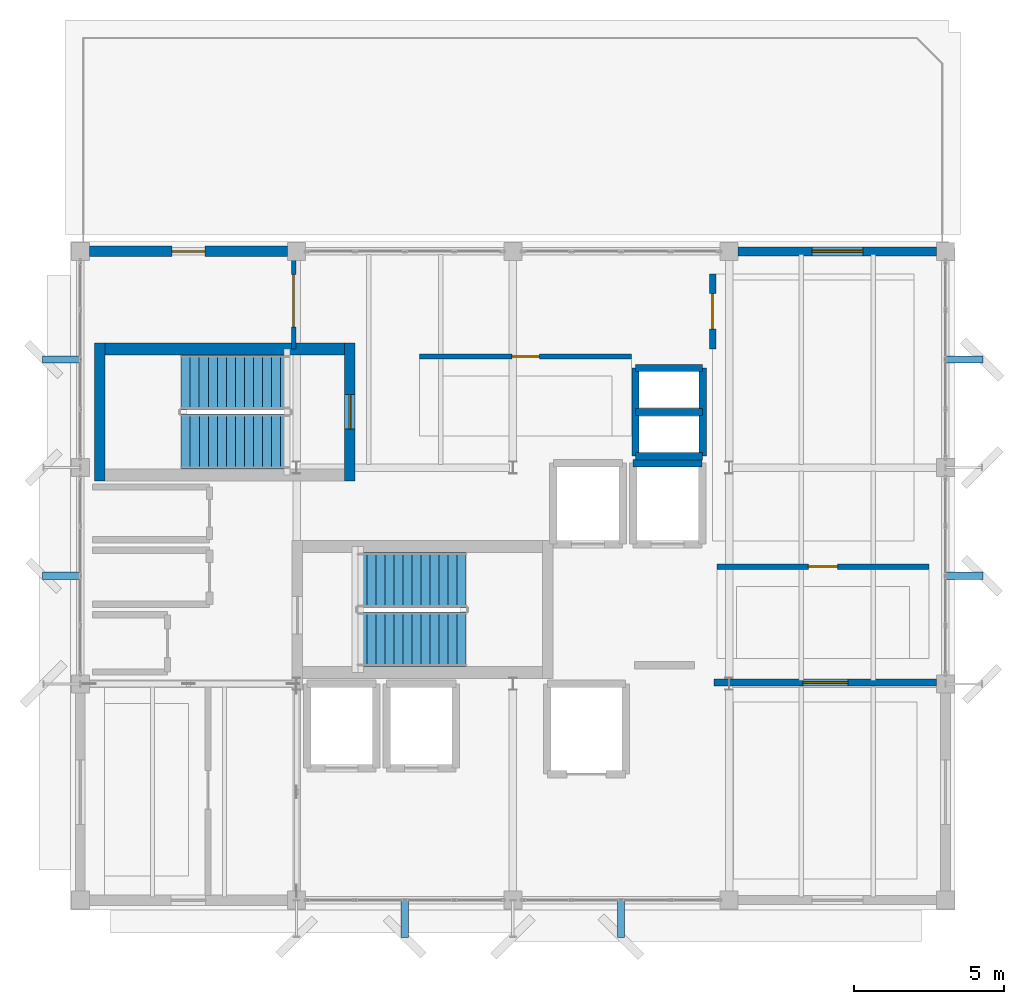
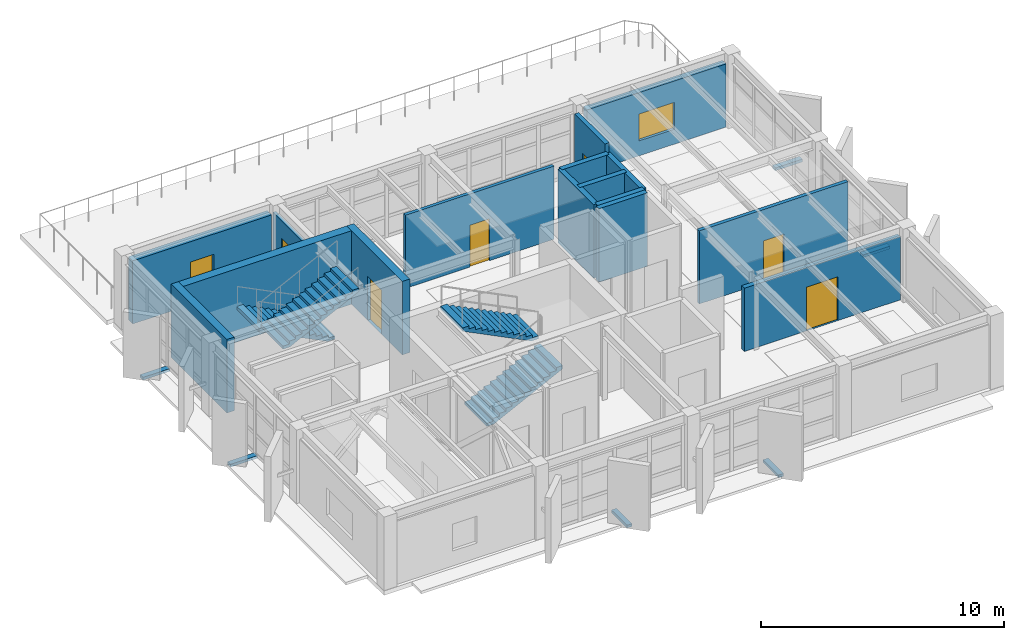
# One storey, part 12 of 16: 16 walls, 7 doors, 6 discrete accessories, 4 stair flights, 1 window, 8 openings, 2 elements without a shape of their own.
"""IFC4 building model written with IfcOpenShell, lengths in metres."""

from ifc_helpers import new_model, si_unit, direction, frame, frame_2d, origin, origin_2d, place, context, subcontext, project, spatial, polyline, rectangle, outline, extrude, material, layer, layer_set, type_object, element, fill, aggregate, save


model = new_model("IFC4")

# Units and contexts
model_context = context("Model", 3, precision=1e-05, world=origin(), true_north=direction((0.0, 1.0)))
body_context = subcontext(model_context, "Body", "Model", "MODEL_VIEW")
ifc_project = project(units=[si_unit("LENGTHUNIT", "METRE"), si_unit("AREAUNIT", "SQUARE_METRE"), si_unit("VOLUMEUNIT", "CUBIC_METRE"), si_unit("PLANEANGLEUNIT", "RADIAN"), si_unit("MASSUNIT", "GRAM", prefix="KILO")], contexts=[model_context])

# Site, building, storey
site_placement = place(None, origin())
site = spatial("IfcSite", under=ifc_project, at=site_placement, CompositionType="ELEMENT")
building_placement = place(site_placement, origin())
building = spatial("IfcBuilding", under=site, at=building_placement, Name="Kandorven Conservatory and Botanical Research Centre", CompositionType="ELEMENT")
storey_placement = place(building_placement, frame((0.0, 0.0, 44.39990234375)))
storey = spatial("IfcBuildingStorey", under=building, at=storey_placement, Name="L11", CompositionType="ELEMENT", Elevation=44.39990234375)

# Wall
ifc_material_1 = material(Name="Concrete C40/50 (M50)", Category="concrete")
ifc_layer_1 = layer(ifc_material_1, 0.39990234375)
ifc_layer_set_1 = layer_set([ifc_layer_1], Name="Concrete C40/50 (M50)")
wall_type_1 = type_object("IfcWallType", Name="Wall_CW-RC-1", PredefinedType="SHEAR", material=ifc_layer_set_1)
wall_1_placement = place(storey_placement, frame((14.800048828125, 24.35498046875, 0.0), z_axis=(0.0, 0.0, 1.0), x_axis=(-1.0, 0.0, 0.0)))
element("IfcWall", 1, at=wall_1_placement, inside=storey, type_object=wall_type_1, Name="Core stair shear wall CW-RC-1 ST-T2 L11 side A", PredefinedType="SHEAR", context=body_context, shape_type="SweptSolid", body=[
    extrude(rectangle(XDim=7.97998046875, YDim=0.39990234375, at=frame_2d((3.989990234375, 0.0))), origin(), (0.0, 0.0, 1.0), 3.690185546875),
])

# Wall, opening, door
ifc_material_2 = material(Name="Concrete C40/50 (M50)", Category="concrete")
ifc_layer_2 = layer(ifc_material_2, 0.35009765625)
ifc_layer_set_2 = layer_set([ifc_layer_2], Name="Concrete C40/50 (M50)")
wall_type_2 = type_object("IfcWallType", Name="Wall_CW-RC-2", PredefinedType="SHEAR", material=ifc_layer_set_2)
wall_2_placement = place(storey_placement, frame((14.97509765625, 24.550048828125, 0.0), z_axis=(0.0, 0.0, 1.0), x_axis=(0.0, -1.0, 0.0)))
wall_2 = element("IfcWall", 2, at=wall_2_placement, inside=storey, type_object=wall_type_2, Name="Core stair shear wall CW-RC-2 ST-T2 L11 entry", PredefinedType="SHEAR", context=body_context, shape_type="SweptSolid", body=[
    extrude(rectangle(XDim=4.590087890625, YDim=0.35009765625, at=frame_2d((2.294921875, 0.0))), origin(), (0.0, 0.0, 1.0), 3.690185546875),
])
opening_1_placement = place(wall_2_placement, frame((1.719970703125, 0.0, 0.0)))
opening_1 = element("IfcOpeningElement", 3, at=opening_1_placement, cuts=wall_2, Name="Opening FD-2", PredefinedType="OPENING", context=body_context, shape_type="SweptSolid", body=[
    extrude(rectangle(XDim=1.14990234375, YDim=2.199951171875, at=frame_2d((0.574951171875, 1.10009765625))), frame((0.0, 0.18505859375, 0.0), z_axis=(0.0, -1.0, 0.0), x_axis=(1.0, 0.0, 0.0)), (0.0, 0.0, 1.0), 0.3701171875),
])
ifc_material_3 = material(Name="Galvanised hollow steel fire door assembly", Category="steel")
door_type_1 = type_object("IfcDoorType", Name="Door_FD-2", OperationType="NOTDEFINED", PredefinedType="DOOR", material=ifc_material_3)
door_1_placement = place(opening_1_placement, origin())
door_1 = element("IfcDoor", 4, at=door_1_placement, inside=storey, type_object=door_type_1, Name="Exit stair fire door FD-2 ST-T2 L11", OperationType="SINGLE_SWING_RIGHT", OverallHeight=2.199951171875, OverallWidth=1.14990234375, PredefinedType="DOOR", context=body_context, shape_type="SweptSolid", body=[
    extrude(rectangle(XDim=1.14990234375, YDim=2.199951171875, at=frame_2d((0.574951171875, 1.10009765625))), frame((0.0, 0.02490234375, 0.0), z_axis=(0.0, -1.0, 0.0), x_axis=(1.0, 0.0, 0.0)), (0.0, 0.0, 1.0), 0.050048828125),
])
fill(opening_1, door_1)

# Walls
wall_3_placement = place(storey_placement, frame((6.64501953125, 24.550048828125, 0.0), z_axis=(0.0, 0.0, 1.0), x_axis=(0.0, -1.0, 0.0)))
element("IfcWall", 5, at=wall_3_placement, inside=storey, type_object=wall_type_2, Name="Core stair shear wall CW-RC-2 ST-T2 L11 far", PredefinedType="SHEAR", context=body_context, shape_type="SweptSolid", body=[
    extrude(rectangle(XDim=4.590087890625, YDim=0.35009765625, at=frame_2d((2.294921875, 0.0))), origin(), (0.0, 0.0, 1.0), 3.690185546875),
])
wall_4_placement = place(storey_placement, frame((24.39990234375, 20.550048828125, 0.0), z_axis=(0.0, 0.0, 1.0), x_axis=(1.0, 0.0, 0.0)))
element("IfcWall", 6, at=wall_4_placement, inside=storey, type_object=wall_type_2, Name="Lift shaft wall FFL-2 L11 N", PredefinedType="SHEAR", context=body_context, shape_type="SweptSolid", body=[
    extrude(rectangle(XDim=2.300048828125, YDim=0.25, at=frame_2d((1.14990234375, 0.0))), origin(), (0.0, 0.0, 1.0), 3.690185546875),
])
for number, where, z_axis, x_axis, name in (
    (7, (24.47998046875, 20.780029296875, 0.0), (0.0, 0.0, 1.0), (1.0, 0.0, 0.0), "Core MEP riser shaft wall CW-RC-2 L11 S"),
    (8, (24.47998046875, 22.25, 0.0), (0.0, 0.0, 1.0), (1.0, 0.0, 0.0), "Core MEP riser shaft wall CW-RC-2 L11 M"),
    (9, (24.47998046875, 23.719970703125, 0.0), (0.0, 0.0, 1.0), (1.0, 0.0, 0.0), "Core MEP riser shaft wall CW-RC-2 L11 N"),
):
    element("IfcWall", number, at=place(storey_placement, frame(where, z_axis=z_axis, x_axis=x_axis)), inside=storey, type_object=wall_type_2, Name=name, PredefinedType="SHEAR", context=body_context, shape_type="SweptSolid", body=[
        extrude(rectangle(XDim=2.239990234375, YDim=0.239990234375, at=frame_2d((1.1201171875, 0.0))), origin(), (0.0, 0.0, 1.0), 3.690185546875),
    ])
for number, where, z_axis, x_axis, name in (
    (10, (24.47998046875, 20.780029296875, 0.0), (0.0, 0.0, 1.0), (0.0, 1.0, 0.0), "Core MEP riser shaft wall CW-RC-2 L11 W"),
    (11, (26.719970703125, 20.780029296875, 0.0), (0.0, 0.0, 1.0), (0.0, 1.0, 0.0), "Core MEP riser shaft wall CW-RC-2 L11 E"),
):
    element("IfcWall", number, at=place(storey_placement, frame(where, z_axis=z_axis, x_axis=x_axis)), inside=storey, type_object=wall_type_2, Name=name, PredefinedType="SHEAR", context=body_context, shape_type="SweptSolid", body=[
        extrude(rectangle(XDim=2.93994140625, YDim=0.239990234375, at=frame_2d((1.469970703125, 0.0))), origin(), (0.0, 0.0, 1.0), 3.690185546875),
    ])

# Wall, opening, door
ifc_material_4 = material(Name="Concrete C40/50 (M50)", Category="concrete")
ifc_layer_3 = layer(ifc_material_4, 0.360107421875)
ifc_layer_set_3 = layer_set([ifc_layer_3], Name="Concrete C40/50 (M50)")
wall_type_3 = type_object("IfcWallType", Name="Wall_EW-01", PredefinedType="STANDARD", material=ifc_layer_set_3)
wall_5_placement = place(storey_placement, frame((6.300048828125, 27.60009765625, 0.0), z_axis=(0.0, 0.0, 1.0), x_axis=(1.0, 0.0, 0.0)))
wall_5 = element("IfcWall", 12, at=wall_5_placement, inside=storey, type_object=wall_type_3, Name="Tower concrete facade wall EW-01 N L11", PredefinedType="STANDARD", context=body_context, shape_type="SweptSolid", body=[
    extrude(rectangle(XDim=6.599853515625, YDim=0.360107421875, at=frame_2d((3.2998046875, 0.0))), origin(), (0.0, 0.0, 1.0), 3.170166015625),
])
opening_2_placement = place(wall_5_placement, frame((2.75, 0.0, 0.0)))
opening_2 = element("IfcOpeningElement", 13, at=opening_2_placement, cuts=wall_5, Name="Opening TD-01", PredefinedType="OPENING", context=body_context, shape_type="SweptSolid", body=[
    extrude(rectangle(XDim=1.10009765625, YDim=2.14990234375, at=frame_2d((0.550048828125, 1.074951171875))), frame((0.0, 0.18994140625, 0.0), z_axis=(0.0, -1.0, 0.0), x_axis=(1.0, 0.0, 0.0)), (0.0, 0.0, 1.0), 0.380126953125),
])
ifc_material_5 = material(Name="Bronze anodised thermally broken aluminium", Category="aluminium")
door_type_2 = type_object("IfcDoorType", Name="Door_TD-01", OperationType="NOTDEFINED", PredefinedType="DOOR", material=ifc_material_5)
door_2_placement = place(opening_2_placement, origin())
door_2 = element("IfcDoor", 14, at=door_2_placement, inside=storey, type_object=door_type_2, Name="Level L11 refuge terrace access door TD-01", OperationType="SINGLE_SWING_LEFT", OverallHeight=2.14990234375, OverallWidth=1.10009765625, PredefinedType="DOOR", context=body_context, shape_type="SweptSolid", body=[
    extrude(rectangle(XDim=1.10009765625, YDim=2.14990234375, at=frame_2d((0.550048828125, 1.074951171875))), frame((0.0, 0.02490234375, 0.0), z_axis=(0.0, -1.0, 0.0), x_axis=(1.0, 0.0, 0.0)), (0.0, 0.0, 1.0), 0.050048828125),
])
fill(opening_2, door_2)

# Wall, opening, window
ifc_material_6 = material(Name="Concrete C32/40 (M40)", Category="concrete")
ifc_layer_4 = layer(ifc_material_6, 0.300048828125)
ifc_layer_set_4 = layer_set([ifc_layer_4], Name="Concrete C32/40 (M40)")
wall_type_4 = type_object("IfcWallType", Name="Wall_EW-04", PredefinedType="STANDARD", material=ifc_layer_set_4)
wall_6_placement = place(storey_placement, frame((27.89990234375, 27.60009765625, 0.0), z_axis=(0.0, 0.0, 1.0), x_axis=(1.0, 0.0, 0.0)))
wall_6 = element("IfcWall", 15, at=wall_6_placement, inside=storey, type_object=wall_type_4, Name="Tower concrete facade wall EW-04 N L11", PredefinedType="STANDARD", context=body_context, shape_type="SweptSolid", body=[
    extrude(rectangle(XDim=6.60009765625, YDim=0.300048828125, at=frame_2d((3.300048828125, 0.0))), origin(), (0.0, 0.0, 1.0), 3.170166015625),
])
opening_3_placement = place(wall_6_placement, frame((2.449951171875, 0.0, 0.75)))
opening_3 = element("IfcOpeningElement", 16, at=opening_3_placement, cuts=wall_6, Name="Opening W-34", PredefinedType="OPENING", context=body_context, shape_type="SweptSolid", body=[
    extrude(rectangle(XDim=1.699951171875, YDim=1.35009765625, at=frame_2d((0.85009765625, 0.675048828125))), frame((0.0, 0.159912109375, 0.0), z_axis=(0.0, -1.0, 0.0), x_axis=(1.0, 0.0, 0.0)), (0.0, 0.0, 1.0), 0.320068359375),
])
ifc_material_7 = material(Name="Double-glazed solar-control low-E glass", Category="glass")
window_type = type_object("IfcWindowType", Name="Win_W-34", PartitioningType="DOUBLE_PANEL_VERTICAL", PredefinedType="WINDOW", material=ifc_material_7)
window_placement = place(opening_3_placement, origin())
window = element("IfcWindow", 17, at=window_placement, inside=storey, type_object=window_type, Name="Tower recessed solar window W-34", OverallHeight=1.35009765625, OverallWidth=1.699951171875, PartitioningType="SINGLE_PANEL", PredefinedType="WINDOW", context=body_context, shape_type="SweptSolid", body=[
    extrude(rectangle(XDim=1.699951171875, YDim=1.35009765625, at=frame_2d((0.85009765625, 0.675048828125))), frame((0.0, 0.030029296875, 0.0), z_axis=(0.0, -1.0, 0.0), x_axis=(1.0, 0.0, 0.0)), (0.0, 0.0, 1.0), 0.06005859375),
])
fill(opening_3, window)

# Wall, opening, door
ifc_material_8 = material(Name="Autoclaved aerated concrete blockwork masonry", Category="masonry")
ifc_layer_5 = layer(ifc_material_8, 0.2099609375)
ifc_layer_set_5 = layer_set([ifc_layer_5], Name="Autoclaved aerated concrete blockwork masonry")
wall_type_5 = type_object("IfcWallType", Name="Wall_IW-01", PredefinedType="PARTITIONING", material=ifc_layer_set_5)
wall_7_placement = place(storey_placement, frame((27.050048828125, 24.35009765625, 0.0), z_axis=(0.0, 0.0, 1.0), x_axis=(0.0, 1.0, 0.0)))
wall_7 = element("IfcWall", 18, at=wall_7_placement, inside=storey, type_object=wall_type_5, Name="Interior partition wall IW-01 (Botanical Paper and Specimen Conservation Laboratory L11)", PredefinedType="PARTITIONING", context=body_context, shape_type="SweptSolid", body=[
    extrude(rectangle(XDim=2.5, YDim=0.2099609375, at=frame_2d((1.25, 0.0))), origin(), (0.0, 0.0, 1.0), 3.670166015625),
])
opening_4_placement = place(wall_7_placement, frame((0.659912109375, 0.0, 0.0)))
opening_4 = element("IfcOpeningElement", 19, at=opening_4_placement, cuts=wall_7, Name="Opening D-14", PredefinedType="OPENING", context=body_context, shape_type="SweptSolid", body=[
    extrude(rectangle(XDim=1.179931640625, YDim=2.10009765625, at=frame_2d((0.58984375, 1.050048828125))), frame((0.0, 0.114990234375, 0.0), z_axis=(0.0, -1.0, 0.0), x_axis=(1.0, 0.0, 0.0)), (0.0, 0.0, 1.0), 0.22998046875),
])
ifc_material_9 = material(Name="Solid core acoustic teak-veneered timber leaf", Category="wood")
door_type_3 = type_object("IfcDoorType", Name="Door_D-14", OperationType="NOTDEFINED", PredefinedType="DOOR", material=ifc_material_9)
door_3_placement = place(opening_4_placement, origin())
door_3 = element("IfcDoor", 20, at=door_3_placement, inside=storey, type_object=door_type_3, Name="Interior door D-14 to Botanical Paper and Specimen Conservation Laboratory L11", OperationType="SINGLE_SWING_RIGHT", OverallHeight=2.10009765625, OverallWidth=1.179931640625, PredefinedType="DOOR", context=body_context, shape_type="SweptSolid", body=[
    extrude(rectangle(XDim=1.179931640625, YDim=2.10009765625, at=frame_2d((0.58984375, 1.050048828125))), frame((0.0, 0.02490234375, 0.0), z_axis=(0.0, -1.0, 0.0), x_axis=(1.0, 0.0, 0.0)), (0.0, 0.0, 1.0), 0.050048828125),
])
fill(opening_4, door_3)

ifc_material_10 = material(Name="Fire-rated acoustic gypsum board partition", Category="gypsum")
ifc_layer_6 = layer(ifc_material_10, 0.14599609375)
ifc_layer_set_6 = layer_set([ifc_layer_6], Name="Fire-rated acoustic gypsum board partition")
wall_type_6 = type_object("IfcWallType", Name="Wall_IW-15", PredefinedType="PARTITIONING", material=ifc_layer_set_6)
wall_8_placement = place(storey_placement, frame((13.10009765625, 24.35009765625, 0.0), z_axis=(0.0, 0.0, 1.0), x_axis=(0.0, 1.0, 0.0)))
wall_8 = element("IfcWall", 21, at=wall_8_placement, inside=storey, type_object=wall_type_6, Name="Interior partition wall IW-15 (Botanical Monograph Studio L11)", PredefinedType="PARTITIONING", context=body_context, shape_type="SweptSolid", body=[
    extrude(rectangle(XDim=3.199951171875, YDim=0.14599609375, at=frame_2d((1.60009765625, 0.0))), origin(), (0.0, 0.0, 1.0), 3.18017578125),
])
opening_5_placement = place(wall_8_placement, frame((0.72509765625, 0.0, 0.0)))
opening_5 = element("IfcOpeningElement", 22, at=opening_5_placement, cuts=wall_8, Name="Opening D-10", PredefinedType="OPENING", context=body_context, shape_type="SweptSolid", body=[
    extrude(rectangle(XDim=1.75, YDim=2.300048828125, at=frame_2d((0.875, 1.14990234375))), frame((0.0, 0.0830078125, 0.0), z_axis=(0.0, -1.0, 0.0), x_axis=(1.0, 0.0, 0.0)), (0.0, 0.0, 1.0), 0.166015625),
])
ifc_material_11 = material(Name="Solid core acoustic teak-veneered timber leaf", Category="wood")
door_type_4 = type_object("IfcDoorType", Name="Door_D-10", OperationType="NOTDEFINED", PredefinedType="DOOR", material=ifc_material_11)
door_4_placement = place(opening_5_placement, frame((1.75, 0.0, 0.0), z_axis=(0.0, 0.0, 1.0), x_axis=(-1.0, 0.0, 0.0)))
door_4 = element("IfcDoor", 23, at=door_4_placement, inside=storey, type_object=door_type_4, Name="Interior door D-10 to Botanical Monograph Studio L11", OperationType="DOUBLE_DOOR_SINGLE_SWING", OverallHeight=2.300048828125, OverallWidth=1.75, PredefinedType="DOOR", context=body_context, shape_type="SweptSolid", body=[
    extrude(rectangle(XDim=1.75, YDim=2.300048828125, at=frame_2d((0.875, 1.14990234375))), frame((0.0, 0.02490234375, 0.0), z_axis=(0.0, -1.0, 0.0), x_axis=(1.0, 0.0, 0.0)), (0.0, 0.0, 1.0), 0.050048828125),
])
fill(opening_5, door_4)

ifc_material_12 = material(Name="Autoclaved aerated concrete blockwork masonry", Category="masonry")
ifc_layer_7 = layer(ifc_material_12, 0.157958984375)
ifc_layer_set_7 = layer_set([ifc_layer_7], Name="Autoclaved aerated concrete blockwork masonry")
wall_type_7 = type_object("IfcWallType", Name="Wall_IW-16", PredefinedType="PARTITIONING", material=ifc_layer_set_7)
wall_9_placement = place(storey_placement, frame((17.300048828125, 24.10009765625, 0.0), z_axis=(0.0, 0.0, 1.0), x_axis=(1.0, 0.0, 0.0)))
wall_9 = element("IfcWall", 24, at=wall_9_placement, inside=storey, type_object=wall_type_7, Name="Interior partition wall IW-16 (Dryland Flora Research Laboratory L11)", PredefinedType="PARTITIONING", context=body_context, shape_type="SweptSolid", body=[
    extrude(rectangle(XDim=7.050048828125, YDim=0.157958984375, at=frame_2d((3.52490234375, 0.0))), origin(), (0.0, 0.0, 1.0), 3.670166015625),
])
opening_6_placement = place(wall_9_placement, frame((3.06494140625, 0.0, 0.0)))
opening_6 = element("IfcOpeningElement", 25, at=opening_6_placement, cuts=wall_9, Name="Opening D-11", PredefinedType="OPENING", context=body_context, shape_type="SweptSolid", body=[
    extrude(rectangle(XDim=0.919921875, YDim=2.10009765625, at=frame_2d((0.4599609375, 1.050048828125))), frame((0.0, 0.0888671875, 0.0), z_axis=(0.0, -1.0, 0.0), x_axis=(1.0, 0.0, 0.0)), (0.0, 0.0, 1.0), 0.177978515625),
])
ifc_material_13 = material(Name="Solid core acoustic teak-veneered timber leaf", Category="wood")
door_type_5 = type_object("IfcDoorType", Name="Door_D-11", OperationType="NOTDEFINED", PredefinedType="DOOR", material=ifc_material_13)
door_5_placement = place(opening_6_placement, origin())
door_5 = element("IfcDoor", 26, at=door_5_placement, inside=storey, type_object=door_type_5, Name="Interior door D-11 to Dryland Flora Research Laboratory L11", OperationType="SINGLE_SWING_LEFT", OverallHeight=2.10009765625, OverallWidth=0.919921875, PredefinedType="DOOR", context=body_context, shape_type="SweptSolid", body=[
    extrude(rectangle(XDim=0.919921875, YDim=2.10009765625, at=frame_2d((0.4599609375, 1.050048828125))), frame((0.0, 0.02490234375, 0.0), z_axis=(0.0, -1.0, 0.0), x_axis=(1.0, 0.0, 0.0)), (0.0, 0.0, 1.0), 0.050048828125),
])
fill(opening_6, door_5)

ifc_material_14 = material(Name="Autoclaved aerated concrete blockwork masonry", Category="masonry")
ifc_layer_8 = layer(ifc_material_14, 0.172119140625)
ifc_layer_set_8 = layer_set([ifc_layer_8], Name="Autoclaved aerated concrete blockwork masonry")
wall_type_8 = type_object("IfcWallType", Name="Wall_IW-17", PredefinedType="PARTITIONING", material=ifc_layer_set_8)
wall_10_placement = place(storey_placement, frame((27.199951171875, 17.10009765625, 0.0), z_axis=(0.0, 0.0, 1.0), x_axis=(1.0, 0.0, 0.0)))
wall_10 = element("IfcWall", 27, at=wall_10_placement, inside=storey, type_object=wall_type_8, Name="Interior partition wall IW-17 (Seed Ecology Research Studio L11)", PredefinedType="PARTITIONING", context=body_context, shape_type="SweptSolid", body=[
    extrude(rectangle(XDim=7.050048828125, YDim=0.172119140625, at=frame_2d((3.52490234375, 0.0))), origin(), (0.0, 0.0, 1.0), 3.670166015625),
])
opening_7_placement = place(wall_10_placement, frame((3.034912109375, 0.0, 0.0)))
opening_7 = element("IfcOpeningElement", 28, at=opening_7_placement, cuts=wall_10, Name="Opening D-12", PredefinedType="OPENING", context=body_context, shape_type="SweptSolid", body=[
    extrude(rectangle(XDim=0.97998046875, YDim=2.10009765625, at=frame_2d((0.489990234375, 1.050048828125))), frame((0.0, 0.095947265625, 0.0), z_axis=(0.0, -1.0, 0.0), x_axis=(1.0, 0.0, 0.0)), (0.0, 0.0, 1.0), 0.192138671875),
])
ifc_material_15 = material(Name="Solid core acoustic teak-veneered timber leaf", Category="wood")
door_type_6 = type_object("IfcDoorType", Name="Door_D-12", OperationType="NOTDEFINED", PredefinedType="DOOR", material=ifc_material_15)
door_6_placement = place(opening_7_placement, origin())
door_6 = element("IfcDoor", 29, at=door_6_placement, inside=storey, type_object=door_type_6, Name="Interior door D-12 to Seed Ecology Research Studio L11", OperationType="SINGLE_SWING_RIGHT", OverallHeight=2.10009765625, OverallWidth=0.97998046875, PredefinedType="DOOR", context=body_context, shape_type="SweptSolid", body=[
    extrude(rectangle(XDim=0.97998046875, YDim=2.10009765625, at=frame_2d((0.489990234375, 1.050048828125))), frame((0.0, 0.02490234375, 0.0), z_axis=(0.0, -1.0, 0.0), x_axis=(1.0, 0.0, 0.0)), (0.0, 0.0, 1.0), 0.050048828125),
])
fill(opening_7, door_6)

ifc_material_16 = material(Name="Concrete C32/40 (M40)", Category="concrete")
ifc_layer_9 = layer(ifc_material_16, 0.22509765625)
ifc_layer_set_9 = layer_set([ifc_layer_9], Name="Concrete C32/40 (M40)")
wall_type_9 = type_object("IfcWallType", Name="Wall_IW-FR-2", PredefinedType="SOLIDWALL", material=ifc_layer_set_9)
wall_11_placement = place(storey_placement, frame((27.10009765625, 13.25, 0.0), z_axis=(0.0, 0.0, 1.0), x_axis=(1.0, 0.0, 0.0)))
wall_11 = element("IfcWall", 30, at=wall_11_placement, inside=storey, type_object=wall_type_9, Name="Interior fire partition wall IW-FR-2 (Herbarium Desiccant Dehumidification Plant Room L11)", PredefinedType="SOLIDWALL", context=body_context, shape_type="SweptSolid", body=[
    extrude(rectangle(XDim=7.39990234375, YDim=0.22509765625, at=frame_2d((3.699951171875, 0.0))), origin(), (0.0, 0.0, 1.0), 3.18017578125),
])
opening_8_placement = place(wall_11_placement, frame((2.949951171875, 0.0, 0.0)))
opening_8 = element("IfcOpeningElement", 31, at=opening_8_placement, cuts=wall_11, Name="Opening FD-3", PredefinedType="OPENING", context=body_context, shape_type="SweptSolid", body=[
    extrude(rectangle(XDim=1.5, YDim=2.199951171875, at=frame_2d((0.75, 1.10009765625))), frame((0.0, 0.12255859375, 0.0), z_axis=(0.0, -1.0, 0.0), x_axis=(1.0, 0.0, 0.0)), (0.0, 0.0, 1.0), 0.2451171875),
])
ifc_material_17 = material(Name="Galvanised hollow steel fire door assembly", Category="steel")
door_type_7 = type_object("IfcDoorType", Name="Door_FD-3", OperationType="NOTDEFINED", PredefinedType="DOOR", material=ifc_material_17)
door_7_placement = place(opening_8_placement, frame((1.5, 0.0, 0.0), z_axis=(0.0, 0.0, 1.0), x_axis=(-1.0, 0.0, 0.0)))
door_7 = element("IfcDoor", 32, at=door_7_placement, inside=storey, type_object=door_type_7, Name="Interior door FD-3 to Herbarium Desiccant Dehumidification Plant Room L11", OperationType="SINGLE_SWING_LEFT", OverallHeight=2.199951171875, OverallWidth=1.5, PredefinedType="DOOR", context=body_context, shape_type="SweptSolid", body=[
    extrude(rectangle(XDim=1.5, YDim=2.199951171875, at=frame_2d((0.75, 1.10009765625))), frame((0.0, 0.02490234375, 0.0), z_axis=(0.0, -1.0, 0.0), x_axis=(1.0, 0.0, 0.0)), (0.0, 0.0, 1.0), 0.050048828125),
])
fill(opening_8, door_7)

# Stair, stair flights
ifc_material_18 = material(Name="Concrete C32/40 (M40)", Category="concrete")
stair_type = type_object("IfcStairType", Name="Stair_1820", PredefinedType="HALF_TURN_STAIR", material=ifc_material_18)
stair_1_placement = place(storey_placement, origin())
stair_1 = element("IfcStair", 33, at=stair_1_placement, inside=storey, type_object=stair_type, Name="L11 Tower Fire Stair ST-T1", PredefinedType="HALF_TURN_STAIR")
ifc_material_19 = material(Name="Concrete C32/40 (M40)", Category="concrete")
ifc_layer_10 = layer(ifc_material_19, 0.14990234375)
ifc_layer_set_10 = layer_set([ifc_layer_10], Name="Concrete C32/40 (M40)")
stair_flight_type = type_object("IfcStairFlightType", Name="Flight_1820", PredefinedType="STRAIGHT", material=ifc_layer_set_10)
stair_flight_1_placement = place(storey_placement, frame((15.239990234375, 14.68994140625, 0.0), z_axis=(0.0, 0.0, 1.0), x_axis=(1.0, 0.0, 0.0)))
stair_flight_1 = element("IfcStairFlight", 34, at=stair_flight_1_placement, type_object=stair_flight_type, Name="ST-T1 flight 1", NumberOfRisers=13, NumberOfTreads=12, PredefinedType="STRAIGHT", RiserHeight=0.15, TreadLength=0.3, context=body_context, shape_type="SweptSolid", body=[
    extrude(outline(polyline([(0.0, 0.0), (0.0, 0.14990234375), (0.300048828125, 0.14990234375), (0.300048828125, 0.300048828125), (0.60009765625, 0.300048828125), (0.60009765625, 0.449951171875), (0.89990234375, 0.449951171875), (0.89990234375, 0.60009765625), (1.199951171875, 0.60009765625), (1.199951171875, 0.75), (1.5, 0.75), (1.5, 0.89990234375), (1.800048828125, 0.89990234375), (1.800048828125, 1.050048828125), (2.10009765625, 1.050048828125), (2.10009765625, 1.199951171875), (2.39990234375, 1.199951171875), (2.39990234375, 1.35009765625), (2.699951171875, 1.35009765625), (2.699951171875, 1.5), (3.0, 1.5), (3.0, 1.64990234375), (3.300048828125, 1.64990234375), (3.300048828125, 1.800048828125), (3.60009765625, 1.800048828125), (3.60009765625, 1.949951171875), (3.60009765625, 1.63232421875), (0.335205078125, 0.0), (0.0, 0.0)])), frame((0.0, 0.91015625, 0.0), z_axis=(0.0, -1.0, 0.0), x_axis=(1.0, 0.0, 0.0)), (0.0, 0.0, 1.0), 1.820068359375),
])
stair_flight_2_placement = place(storey_placement, frame((18.839599609375, 16.659912109375, 1.9501953125), z_axis=(0.0, 0.0, 1.0), x_axis=(-1.0, 0.0, 0.0)))
stair_flight_2 = element("IfcStairFlight", 35, at=stair_flight_2_placement, type_object=stair_flight_type, Name="ST-T1 flight 2", NumberOfRisers=13, NumberOfTreads=12, PredefinedType="STRAIGHT", RiserHeight=0.15, TreadLength=0.3, context=body_context, shape_type="SweptSolid", body=[
    extrude(outline(polyline([(0.0, 0.0), (0.0, 0.14990234375), (0.300048828125, 0.14990234375), (0.300048828125, 0.300048828125), (0.60009765625, 0.300048828125), (0.60009765625, 0.449951171875), (0.89990234375, 0.449951171875), (0.89990234375, 0.60009765625), (1.199951171875, 0.60009765625), (1.199951171875, 0.75), (1.5, 0.75), (1.5, 0.89990234375), (1.800048828125, 0.89990234375), (1.800048828125, 1.050048828125), (2.10009765625, 1.050048828125), (2.10009765625, 1.199951171875), (2.39990234375, 1.199951171875), (2.39990234375, 1.35009765625), (2.699951171875, 1.35009765625), (2.699951171875, 1.5), (3.0, 1.5), (3.0, 1.64990234375), (3.300048828125, 1.64990234375), (3.300048828125, 1.800048828125), (3.60009765625, 1.800048828125), (3.60009765625, 1.949951171875), (3.60009765625, 1.63232421875), (0.335205078125, 0.0), (0.0, 0.0)])), frame((0.0, 0.91015625, 0.0), z_axis=(0.0, -1.0, 0.0), x_axis=(1.0, 0.0, 0.0)), (0.0, 0.0, 1.0), 1.820068359375),
])
aggregate(stair_1, [stair_flight_1, stair_flight_2])

stair_2_placement = place(storey_placement, origin())
stair_2 = element("IfcStair", 36, at=stair_2_placement, inside=storey, type_object=stair_type, Name="L11 Tower Fire Stair ST-T2", PredefinedType="HALF_TURN_STAIR")
stair_flight_3_placement = place(storey_placement, frame((12.9599609375, 23.239990234375, 0.0), z_axis=(0.0, 0.0, 1.0), x_axis=(-1.0, 0.0, 0.0)))
stair_flight_3 = element("IfcStairFlight", 37, at=stair_flight_3_placement, type_object=stair_flight_type, Name="ST-T2 flight 1", NumberOfRisers=13, NumberOfTreads=12, PredefinedType="STRAIGHT", RiserHeight=0.15, TreadLength=0.3, context=body_context, shape_type="SweptSolid", body=[
    extrude(outline(polyline([(0.0, 0.0), (0.0, 0.14990234375), (0.300048828125, 0.14990234375), (0.300048828125, 0.300048828125), (0.60009765625, 0.300048828125), (0.60009765625, 0.449951171875), (0.89990234375, 0.449951171875), (0.89990234375, 0.60009765625), (1.199951171875, 0.60009765625), (1.199951171875, 0.75), (1.5, 0.75), (1.5, 0.89990234375), (1.800048828125, 0.89990234375), (1.800048828125, 1.050048828125), (2.10009765625, 1.050048828125), (2.10009765625, 1.199951171875), (2.39990234375, 1.199951171875), (2.39990234375, 1.35009765625), (2.699951171875, 1.35009765625), (2.699951171875, 1.5), (3.0, 1.5), (3.0, 1.64990234375), (3.300048828125, 1.64990234375), (3.300048828125, 1.800048828125), (3.60009765625, 1.800048828125), (3.60009765625, 1.949951171875), (3.60009765625, 1.63232421875), (0.335205078125, 0.0), (0.0, 0.0)])), frame((0.0, 0.91015625, 0.0), z_axis=(0.0, -1.0, 0.0), x_axis=(1.0, 0.0, 0.0)), (0.0, 0.0, 1.0), 1.820068359375),
])
stair_flight_4_placement = place(storey_placement, frame((9.360595703125, 21.27001953125, 1.9501953125), z_axis=(0.0, 0.0, 1.0), x_axis=(1.0, 0.0, 0.0)))
stair_flight_4 = element("IfcStairFlight", 38, at=stair_flight_4_placement, type_object=stair_flight_type, Name="ST-T2 flight 2", NumberOfRisers=13, NumberOfTreads=12, PredefinedType="STRAIGHT", RiserHeight=0.15, TreadLength=0.3, context=body_context, shape_type="SweptSolid", body=[
    extrude(outline(polyline([(0.0, 0.0), (0.0, 0.14990234375), (0.300048828125, 0.14990234375), (0.300048828125, 0.300048828125), (0.60009765625, 0.300048828125), (0.60009765625, 0.449951171875), (0.89990234375, 0.449951171875), (0.89990234375, 0.60009765625), (1.199951171875, 0.60009765625), (1.199951171875, 0.75), (1.5, 0.75), (1.5, 0.89990234375), (1.800048828125, 0.89990234375), (1.800048828125, 1.050048828125), (2.10009765625, 1.050048828125), (2.10009765625, 1.199951171875), (2.39990234375, 1.199951171875), (2.39990234375, 1.35009765625), (2.699951171875, 1.35009765625), (2.699951171875, 1.5), (3.0, 1.5), (3.0, 1.64990234375), (3.300048828125, 1.64990234375), (3.300048828125, 1.800048828125), (3.60009765625, 1.800048828125), (3.60009765625, 1.949951171875), (3.60009765625, 1.63232421875), (0.335205078125, 0.0), (0.0, 0.0)])), frame((0.0, 0.91015625, 0.0), z_axis=(0.0, -1.0, 0.0), x_axis=(1.0, 0.0, 0.0)), (0.0, 0.0, 1.0), 1.820068359375),
])
aggregate(stair_2, [stair_flight_3, stair_flight_4])

# Discrete accessories
ifc_material_20 = material(Name="Steel S355 (IS 2062 E350)", Category="steel")
discrete_accessory_type = type_object("IfcDiscreteAccessoryType", Name="JaliBracket", PredefinedType="BRACKET", material=ifc_material_20)
for number, where, z_axis, x_axis, name in (
    (39, (16.800048828125, 5.389892578125, -0.1298828125), (0.0, 0.0, 1.0), (1.0, 0.0, 0.0), "Stainless steel fin support bracket BRK-01 #86"),
    (40, (24.0, 5.389892578125, -0.1298828125), (0.0, 0.0, 1.0), (1.0, 0.0, 0.0), "Stainless steel fin support bracket BRK-01 #88"),
):
    element("IfcDiscreteAccessory", number, at=place(storey_placement, frame(where, z_axis=z_axis, x_axis=x_axis)), inside=storey, type_object=discrete_accessory_type, Name=name, PredefinedType="BRACKET", context=body_context, shape_type="SweptSolid", body=[
        extrude(rectangle(XDim=0.239990234375, YDim=1.280029296875, at=origin_2d()), origin(), (0.0, 0.0, 1.0), 0.139892578125),
    ])
for number, where, z_axis, x_axis, name in (
    (41, (5.389892578125, 16.800048828125, -0.1298828125), (0.0, 0.0, 1.0), (1.0, 0.0, 0.0), "Stainless steel fin support bracket BRK-01 #90"),
    (42, (5.389892578125, 24.0, -0.1298828125), (0.0, 0.0, 1.0), (1.0, 0.0, 0.0), "Stainless steel fin support bracket BRK-01 #92"),
    (43, (35.409912109375, 16.800048828125, -0.1298828125), (0.0, 0.0, 1.0), (1.0, 0.0, 0.0), "Stainless steel fin support bracket BRK-01 #94"),
    (44, (35.409912109375, 24.0, -0.1298828125), (0.0, 0.0, 1.0), (1.0, 0.0, 0.0), "Stainless steel fin support bracket BRK-01 #96"),
):
    element("IfcDiscreteAccessory", number, at=place(storey_placement, frame(where, z_axis=z_axis, x_axis=x_axis)), inside=storey, type_object=discrete_accessory_type, Name=name, PredefinedType="BRACKET", context=body_context, shape_type="SweptSolid", body=[
        extrude(rectangle(XDim=1.280029296875, YDim=0.239990234375, at=origin_2d()), origin(), (0.0, 0.0, 1.0), 0.139892578125),
    ])

save(model, "model.ifc")
